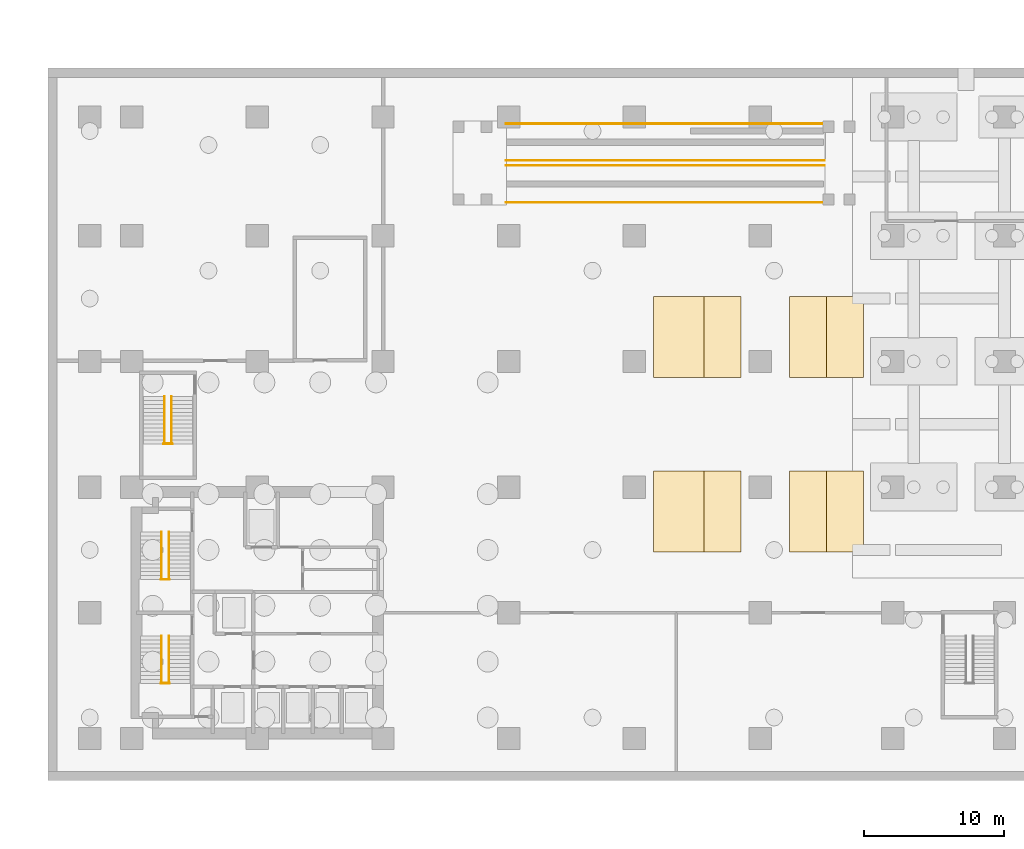
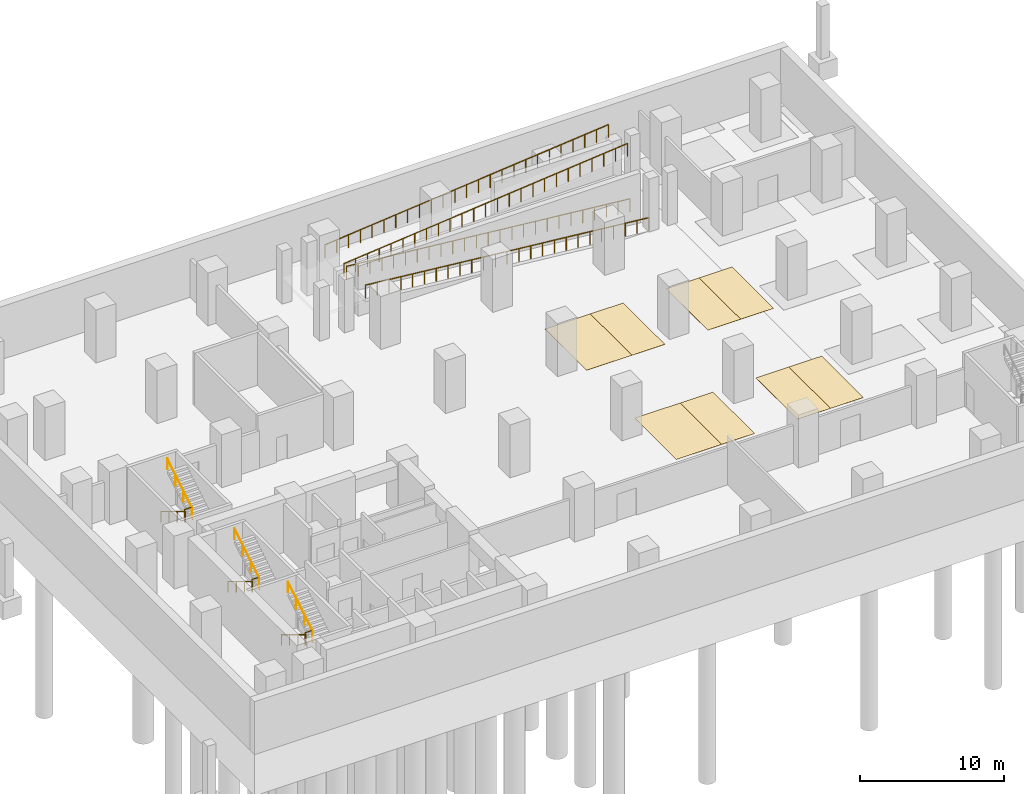
# One storey, part 8 of 10: 13 railings, 8 coverings.
"""IFC4 building model written with IfcOpenShell, lengths in metres."""

import ifcopenshell
import ifcopenshell.guid

model = None  # the IFC model being written
_history = None  # IfcOwnerHistory: only IFC2X3 demands one
_inside = {}  # id of a spatial element -> (the spatial element, [elements in it])
_under = {}  # id of a project, library or spatial element -> (it, [spatial elements below it])
_declared = {}  # id of a project -> (the project, [libraries it declares])
_typed = {}  # id of a type object -> (the type object, [elements of that type])
_made_of = {}  # id of a material, layer set ... -> (it, [elements and type objects made of it])


def new_model(schema):
    """Start an empty IFC model of exactly this schema.

    Asked for "IFC4X3", IfcOpenShell would pick the latest addendum, in which some entities
    have other attributes; the version numbers below select the first issue.
    IFC2X3 requires an IfcOwnerHistory on every rooted entity: one is made here for all.
    """
    global model, _history
    if schema == "IFC4X3":
        model = ifcopenshell.file(schema_version=(4, 3, 0, 0))
    else:
        model = ifcopenshell.file(schema=schema)
    _inside.clear()
    _under.clear()
    _declared.clear()
    _typed.clear()
    _made_of.clear()
    _history = None
    if model.schema == "IFC2X3":
        org = make("IfcOrganization", Name="unknown")
        user = make(
            "IfcPersonAndOrganization",
            ThePerson=make("IfcPerson", FamilyName="unknown"),
            TheOrganization=org,
        )
        app = make(
            "IfcApplication",
            ApplicationDeveloper=org,
            Version="unknown",
            ApplicationFullName="unknown",
            ApplicationIdentifier="unknown",
        )
        _history = make(
            "IfcOwnerHistory",
            OwningUser=user,
            OwningApplication=app,
            ChangeAction="ADDED",
            CreationDate=0,
        )
    return model


def make(cls, **values):
    """One entity of the class cls with the attributes given. An attribute that is None is left unset."""
    return model.create_entity(
        cls, **{name: value for name, value in values.items() if value is not None}
    )


def rooted(cls, **values):
    """An entity with a GlobalId (a new one), such as an element, a storey or a relation."""
    return make(cls, GlobalId=ifcopenshell.guid.new(), OwnerHistory=_history, **values)


def si_unit(unit_type, name, prefix=None):
    """IfcSIUnit, for example si_unit("LENGTHUNIT", "METRE", prefix="MILLI")."""
    return make("IfcSIUnit", UnitType=unit_type, Prefix=prefix, Name=name)


def assignment(units):
    """IfcUnitAssignment: the units of a project."""
    return None if units is None else make("IfcUnitAssignment", Units=units)


def point(xyz):
    """IfcCartesianPoint."""
    return None if xyz is None else make("IfcCartesianPoint", Coordinates=xyz)


def direction(xyz):
    """IfcDirection."""
    return None if xyz is None else make("IfcDirection", DirectionRatios=xyz)


def frame(location, z_axis=None, x_axis=None):
    """IfcAxis2Placement3D, a coordinate frame: its origin and axes. An axis left out is left unset."""
    return make(
        "IfcAxis2Placement3D",
        Location=point(location),
        Axis=direction(z_axis),
        RefDirection=direction(x_axis),
    )


def frame_2d(location, x_axis=None):
    """IfcAxis2Placement2D, a coordinate frame in the plane: its origin and x axis."""
    return make(
        "IfcAxis2Placement2D", Location=point(location), RefDirection=direction(x_axis)
    )


def origin():
    """The frame at (0, 0, 0) with its axes left unset."""
    return frame((0.0, 0.0, 0.0))


def origin_2d():
    """The frame at (0, 0) in the plane with its x axis left unset."""
    return frame_2d((0.0, 0.0))


def place(relative_to, where):
    """IfcLocalPlacement: puts the frame where relative to a parent placement (None: the world)."""
    return make(
        "IfcLocalPlacement", PlacementRelTo=relative_to, RelativePlacement=where
    )


def context(
    kind, dimensions, precision=None, world=None, true_north=None, identifier=None
):
    """IfcGeometricRepresentationContext, for example the 3D "Model" context."""
    return make(
        "IfcGeometricRepresentationContext",
        ContextIdentifier=identifier,
        ContextType=kind,
        CoordinateSpaceDimension=dimensions,
        Precision=precision,
        WorldCoordinateSystem=world,
        TrueNorth=true_north,
    )


def subcontext(parent, identifier, kind, view, scale=None):
    """IfcGeometricRepresentationSubContext, for example "Body" below "Model"."""
    return make(
        "IfcGeometricRepresentationSubContext",
        ContextIdentifier=identifier,
        ContextType=kind,
        ParentContext=parent,
        TargetScale=scale,
        TargetView=view,
    )


def project(units=None, contexts=None):
    """IfcProject with its units and contexts."""
    return rooted(
        "IfcProject",
        Name="project",
        RepresentationContexts=contexts,
        UnitsInContext=assignment(units),
    )


def spatial(cls, under=None, at=None, **own):
    """A site, building, storey or space (cls), placed at a placement, below another one or the project."""
    s = rooted(cls, ObjectPlacement=at, **own)
    if under is not None:
        _under.setdefault(under.id(), (under, []))[1].append(s)
    return s


def polyline(points):
    """IfcPolyline through the points."""
    return make("IfcPolyline", Points=[point(p) for p in points])


def profile(cls, at=None, kind="AREA", **sizes):
    """A parametric profile (cls). Its sizes go by their IFC names, for example OverallWidth=200.0."""
    return make(cls, ProfileType=kind, Position=at, **sizes)


def circle(**sizes):
    """IfcCircleProfileDef."""
    return profile("IfcCircleProfileDef", **sizes)


def outline(outer, holes=None, kind="AREA"):
    """IfcArbitraryClosedProfileDef: a profile drawn as a closed curve; with holes, ...WithVoids."""
    if holes is None:
        return make("IfcArbitraryClosedProfileDef", ProfileType=kind, OuterCurve=outer)
    return make(
        "IfcArbitraryProfileDefWithVoids",
        ProfileType=kind,
        OuterCurve=outer,
        InnerCurves=holes,
    )


def extrude(swept, where, along, depth):
    """IfcExtrudedAreaSolid: the profile swept, set in the frame where, extruded along a direction by depth."""
    return make(
        "IfcExtrudedAreaSolid",
        SweptArea=swept,
        Position=where,
        ExtrudedDirection=direction(along),
        Depth=depth,
    )


def shape(context_of_items, identifier, shape_type, items):
    """IfcShapeRepresentation: the items that make up one representation, for example the "Body"."""
    return make(
        "IfcShapeRepresentation",
        ContextOfItems=context_of_items,
        RepresentationIdentifier=identifier,
        RepresentationType=shape_type,
        Items=items,
    )


def material(Name=None, Category=None):
    """IfcMaterial."""
    return make("IfcMaterial", Name=Name, Category=Category)


def layer(
    of_material, thickness, ventilated=None, Name=None, Category=None, Priority=None
):
    """IfcMaterialLayer: one layer of a wall or slab, of a material (None: an air gap)."""
    return make(
        "IfcMaterialLayer",
        Material=of_material,
        LayerThickness=thickness,
        IsVentilated=ventilated,
        Name=Name,
        Category=Category,
        Priority=Priority,
    )


def layer_set(layers, Name=None):
    """IfcMaterialLayerSet."""
    return make("IfcMaterialLayerSet", MaterialLayers=layers, LayerSetName=Name)


def made_of(thing, what):
    """Note that an element or type object is made of a material, layer set ...; save() writes the relation."""
    if what is not None:
        _made_of.setdefault(what.id(), (what, []))[1].append(thing)
    return thing


def type_object(cls, material=None, **own):
    """A type object (cls), such as IfcWallType, which elements share."""
    return made_of(rooted(cls, **own), material)


def element(
    cls,
    number,
    at=None,
    inside=None,
    cuts=None,
    type_object=None,
    material=None,
    context=None,
    identifier="Body",
    shape_type=None,
    held_by="IfcProductDefinitionShape",
    body=None,
    shapes=None,
    **own,
):
    """One element of the class cls, such as IfcWall. Its Tag is "e" and its number.

    at: its placement. inside: the storey or other place that contains it. cuts: it is an
    opening in that element (IfcRelVoidsElement). A single representation is given by context,
    identifier, shape_type and body (its items); several are given by shapes. held_by: the class
    of the entity that holds the representations. save() writes the other relations.
    """
    e = rooted(cls, Tag="e%d" % number, ObjectPlacement=at, **own)
    if body is not None:
        shapes = [shape(context, identifier, shape_type, body)]
    if shapes is not None:
        e.Representation = make(held_by, Representations=shapes)
    if inside is not None:
        _inside.setdefault(inside.id(), (inside, []))[1].append(e)
    if cuts is not None:
        rooted(
            "IfcRelVoidsElement", RelatingBuildingElement=cuts, RelatedOpeningElement=e
        )
    if type_object is not None:
        _typed.setdefault(type_object.id(), (type_object, []))[1].append(e)
    return made_of(e, material)


def aggregate(whole, parts):
    """IfcRelAggregates: a whole, such as a stair, and the parts it consists of."""
    return rooted("IfcRelAggregates", RelatingObject=whole, RelatedObjects=parts)


def save(model, path):
    """Write the relations noted so far, then the file.

    IfcRelAggregates (storeys below a building ...), IfcRelContainedInSpatialStructure (elements
    in a storey), IfcRelDefinesByType, IfcRelAssociatesMaterial and IfcRelDeclares: one each for
    every whole, place, type object, material and project.
    """
    for whole, parts in _under.values():
        aggregate(whole, parts)
    for where, things in _inside.values():
        rooted(
            "IfcRelContainedInSpatialStructure",
            RelatedElements=things,
            RelatingStructure=where,
        )
    for kind, things in _typed.values():
        rooted("IfcRelDefinesByType", RelatedObjects=things, RelatingType=kind)
    for what, things in _made_of.values():
        rooted("IfcRelAssociatesMaterial", RelatedObjects=things, RelatingMaterial=what)
    for by, libraries in _declared.values():
        rooted("IfcRelDeclares", RelatingContext=by, RelatedDefinitions=libraries)
    model.write(path)


model = new_model("IFC4")

# Units and contexts
model_context = context("Model", 3, precision=1e-05, world=origin(), true_north=direction((0.0, 1.0)))
body_context = subcontext(model_context, "Body", "Model", "MODEL_VIEW")
ifc_project = project(units=[si_unit("LENGTHUNIT", "METRE"), si_unit("AREAUNIT", "SQUARE_METRE"), si_unit("VOLUMEUNIT", "CUBIC_METRE"), si_unit("PLANEANGLEUNIT", "RADIAN"), si_unit("MASSUNIT", "GRAM", prefix="KILO")], contexts=[model_context])

# Site, building, storey
site_placement = place(None, origin())
site = spatial("IfcSite", under=ifc_project, at=site_placement, CompositionType="ELEMENT")
building_placement = place(site_placement, origin())
building = spatial("IfcBuilding", under=site, at=building_placement, Name="Mawjdan Bourse Tower", CompositionType="ELEMENT")
storey_placement = place(building_placement, frame((0.0, 0.0, -13.5)))
storey = spatial("IfcBuildingStorey", under=building, at=storey_placement, Name="B03", CompositionType="ELEMENT", Elevation=-13.5)

# Coverings
ifc_material_1 = material(Name="Thermoplastic Road Marking Paint")
ifc_layer = layer(ifc_material_1, 0.010009765625)
ifc_layer_set = layer_set([ifc_layer], Name="Thermoplastic Road Marking Paint")
covering_type = type_object("IfcCoveringType", Name="COV-PRK-BAY", PredefinedType="FLOORING", material=ifc_layer_set)
covering_1_placement = place(storey_placement, origin())
element("IfcCovering", 1, at=covering_1_placement, inside=storey, type_object=covering_type, Name="B03 Accessible Parking Bay Marking A1", PredefinedType="FLOORING", context=body_context, shape_type="SweptSolid", body=[
    extrude(outline(polyline([(43.35009765625, 16.35009765625), (47.0, 16.35009765625), (47.0, 22.14990234375), (43.35009765625, 22.14990234375), (43.35009765625, 16.35009765625)])), origin(), (0.0, 0.0, 1.0), 0.010009765625),
])
covering_2_placement = place(storey_placement, origin())
element("IfcCovering", 2, at=covering_2_placement, inside=storey, type_object=covering_type, Name="B03 Parking Bay Marking 01", PredefinedType="FLOORING", context=body_context, shape_type="SweptSolid", body=[
    extrude(outline(polyline([(47.0, 16.35009765625), (49.64990234375, 16.35009765625), (49.64990234375, 22.14990234375), (47.0, 22.14990234375), (47.0, 16.35009765625)])), origin(), (0.0, 0.0, 1.0), 0.010009765625),
])
covering_3_placement = place(storey_placement, origin())
element("IfcCovering", 3, at=covering_3_placement, inside=storey, type_object=covering_type, Name="B03 Parking Bay Marking 02", PredefinedType="FLOORING", context=body_context, shape_type="SweptSolid", body=[
    extrude(outline(polyline([(53.10009765625, 16.35009765625), (55.75, 16.35009765625), (55.75, 22.14990234375), (53.10009765625, 22.14990234375), (53.10009765625, 16.35009765625)])), origin(), (0.0, 0.0, 1.0), 0.010009765625),
])
covering_4_placement = place(storey_placement, origin())
element("IfcCovering", 4, at=covering_4_placement, inside=storey, type_object=covering_type, Name="B03 Parking Bay Marking 03", PredefinedType="FLOORING", context=body_context, shape_type="SweptSolid", body=[
    extrude(outline(polyline([(55.75, 16.35009765625), (58.39990234375, 16.35009765625), (58.39990234375, 22.14990234375), (55.75, 22.14990234375), (55.75, 16.35009765625)])), origin(), (0.0, 0.0, 1.0), 0.010009765625),
])
covering_5_placement = place(storey_placement, origin())
element("IfcCovering", 5, at=covering_5_placement, inside=storey, type_object=covering_type, Name="B03 Accessible Parking Bay Marking A2", PredefinedType="FLOORING", context=body_context, shape_type="SweptSolid", body=[
    extrude(outline(polyline([(43.35009765625, 28.85009765625), (47.0, 28.85009765625), (47.0, 34.64990234375), (43.35009765625, 34.64990234375), (43.35009765625, 28.85009765625)])), origin(), (0.0, 0.0, 1.0), 0.010009765625),
])
covering_6_placement = place(storey_placement, origin())
element("IfcCovering", 6, at=covering_6_placement, inside=storey, type_object=covering_type, Name="B03 Parking Bay Marking 04", PredefinedType="FLOORING", context=body_context, shape_type="SweptSolid", body=[
    extrude(outline(polyline([(47.0, 28.85009765625), (49.64990234375, 28.85009765625), (49.64990234375, 34.64990234375), (47.0, 34.64990234375), (47.0, 28.85009765625)])), origin(), (0.0, 0.0, 1.0), 0.010009765625),
])
covering_7_placement = place(storey_placement, origin())
element("IfcCovering", 7, at=covering_7_placement, inside=storey, type_object=covering_type, Name="B03 Parking Bay Marking 05", PredefinedType="FLOORING", context=body_context, shape_type="SweptSolid", body=[
    extrude(outline(polyline([(53.10009765625, 28.85009765625), (55.75, 28.85009765625), (55.75, 34.64990234375), (53.10009765625, 34.64990234375), (53.10009765625, 28.85009765625)])), origin(), (0.0, 0.0, 1.0), 0.010009765625),
])
covering_8_placement = place(storey_placement, origin())
element("IfcCovering", 8, at=covering_8_placement, inside=storey, type_object=covering_type, Name="B03 Parking Bay Marking 06", PredefinedType="FLOORING", context=body_context, shape_type="SweptSolid", body=[
    extrude(outline(polyline([(55.75, 28.85009765625), (58.39990234375, 28.85009765625), (58.39990234375, 34.64990234375), (55.75, 34.64990234375), (55.75, 28.85009765625)])), origin(), (0.0, 0.0, 1.0), 0.010009765625),
])

# Railings
ifc_material_2 = material(Name="Structural Steel S355", Category="steel")
railing_type_1 = type_object("IfcRailingType", Name="RLG-GRD-1100", PredefinedType="GUARDRAIL", material=ifc_material_2)
for number, where, name in (
    (9, (8.090087890625, 6.949951171875, 2.25), "B03 ST1 Landing Guardrail GL-MID"),
    (10, (8.090087890625, 14.389892578125, 2.25), "B03 ST2 Landing Guardrail GL-MID"),
    (11, (8.2900390625, 24.10009765625, 2.25), "B03 ST3 Landing Guardrail GL-MID"),
):
    element("IfcRailing", number, at=place(storey_placement, frame(where)), inside=storey, type_object=railing_type_1, Name=name, PredefinedType="GUARDRAIL", context=body_context, shape_type="SweptSolid", body=[
        extrude(circle(Radius=0.02490234375, at=origin_2d()), frame((0.0, 0.0, 1.0751953125), z_axis=(1.0, 0.0, 0.0), x_axis=(0.0, 1.0, 0.0)), (0.0, 0.0, 1.0), 0.619873046875),
        extrude(circle(Radius=0.02099609375, at=origin_2d()), origin(), (0.0, 0.0, 1.0), 1.050048828125),
        extrude(circle(Radius=0.02099609375, at=origin_2d()), frame((0.619873046875, 0.0, 0.0)), (0.0, 0.0, 1.0), 1.050048828125),
    ])
railing_1_placement = place(storey_placement, frame((55.60009765625, 41.3798828125, 0.0048828125)))
element("IfcRailing", 12, at=railing_1_placement, inside=storey, type_object=railing_type_1, Name="B03 Vehicle Ramp Flight 1 South Guardrail", PredefinedType="GUARDRAIL", context=body_context, shape_type="SweptSolid", body=[
    extrude(circle(Radius=0.02490234375, at=origin_2d()), frame((0.0, 0.0, 1.09521484375), z_axis=(-0.995207888393, 0.0, 0.097781689908), x_axis=(0.0, -1.0, 0.0)), (0.0, 0.0, 1.0), 2.86376953125),
    extrude(circle(Radius=0.02490234375, at=origin_2d()), frame((-2.85009765625, 0.0, 1.375), z_axis=(-0.995207888393, 0.0, 0.097781689908), x_axis=(0.0, -1.0, 0.0)), (0.0, 0.0, 1.0), 2.86376953125),
    extrude(circle(Radius=0.02490234375, at=origin_2d()), frame((-5.7001953125, 0.0, 1.6552734375), z_axis=(-0.995207073192, 0.0, 0.097789986546), x_axis=(0.0, -1.0, 0.0)), (0.0, 0.0, 1.0), 2.863525390625),
    extrude(circle(Radius=0.02490234375, at=origin_2d()), frame((-8.550048828125, 0.0, 1.93505859375), z_axis=(-0.995207888393, 0.0, 0.097781689908), x_axis=(0.0, -1.0, 0.0)), (0.0, 0.0, 1.0), 2.86376953125),
    extrude(circle(Radius=0.02490234375, at=origin_2d()), frame((-11.400146484375, 0.0, 2.21533203125), z_axis=(-0.995207073192, 0.0, 0.097789986546), x_axis=(0.0, -1.0, 0.0)), (0.0, 0.0, 1.0), 2.863525390625),
    extrude(circle(Radius=0.02490234375, at=origin_2d()), frame((-14.25, 0.0, 2.4951171875), z_axis=(-0.995207888393, 0.0, 0.097781689908), x_axis=(0.0, -1.0, 0.0)), (0.0, 0.0, 1.0), 2.86376953125),
    extrude(circle(Radius=0.02490234375, at=origin_2d()), frame((-17.10009765625, 0.0, 2.775390625), z_axis=(-0.995207888393, 0.0, 0.097781689908), x_axis=(0.0, -1.0, 0.0)), (0.0, 0.0, 1.0), 2.86376953125),
    extrude(circle(Radius=0.02490234375, at=origin_2d()), frame((-19.9501953125, 0.0, 3.05517578125), z_axis=(-0.995207073192, 0.0, 0.097789986546), x_axis=(0.0, -1.0, 0.0)), (0.0, 0.0, 1.0), 2.863525390625),
    extrude(circle(Radius=0.02197265625, at=origin_2d()), origin(), (0.0, 0.0, 1.0), 1.070068359375),
    extrude(circle(Radius=0.02197265625, at=origin_2d()), frame((-0.949951171875, 0.0, 0.09326171875)), (0.0, 0.0, 1.0), 1.070068359375),
    extrude(circle(Radius=0.02197265625, at=origin_2d()), frame((-1.900146484375, 0.0, 0.186767578125)), (0.0, 0.0, 1.0), 1.070068359375),
    extrude(circle(Radius=0.02197265625, at=origin_2d()), frame((-2.85009765625, 0.0, 0.280029296875)), (0.0, 0.0, 1.0), 1.070068359375),
    extrude(circle(Radius=0.02197265625, at=origin_2d()), frame((-3.800048828125, 0.0, 0.373291015625)), (0.0, 0.0, 1.0), 1.070068359375),
    extrude(circle(Radius=0.02197265625, at=origin_2d()), frame((-4.750244140625, 0.0, 0.466796875)), (0.0, 0.0, 1.0), 1.070068359375),
    extrude(circle(Radius=0.02197265625, at=origin_2d()), frame((-5.7001953125, 0.0, 0.56005859375)), (0.0, 0.0, 1.0), 1.070068359375),
    extrude(circle(Radius=0.02197265625, at=origin_2d()), frame((-6.650146484375, 0.0, 0.6533203125)), (0.0, 0.0, 1.0), 1.070068359375),
    extrude(circle(Radius=0.02197265625, at=origin_2d()), frame((-7.60009765625, 0.0, 0.746826171875)), (0.0, 0.0, 1.0), 1.070068359375),
    extrude(circle(Radius=0.02197265625, at=origin_2d()), frame((-8.550048828125, 0.0, 0.840087890625)), (0.0, 0.0, 1.0), 1.070068359375),
    extrude(circle(Radius=0.02197265625, at=origin_2d()), frame((-9.5, 0.0, 0.933349609375)), (0.0, 0.0, 1.0), 1.070068359375),
    extrude(circle(Radius=0.02197265625, at=origin_2d()), frame((-10.4501953125, 0.0, 1.02685546875)), (0.0, 0.0, 1.0), 1.070068359375),
    extrude(circle(Radius=0.02197265625, at=origin_2d()), frame((-11.400146484375, 0.0, 1.1201171875)), (0.0, 0.0, 1.0), 1.070068359375),
    extrude(circle(Radius=0.02197265625, at=origin_2d()), frame((-12.35009765625, 0.0, 1.21337890625)), (0.0, 0.0, 1.0), 1.070068359375),
    extrude(circle(Radius=0.02197265625, at=origin_2d()), frame((-13.300048828125, 0.0, 1.306884765625)), (0.0, 0.0, 1.0), 1.070068359375),
    extrude(circle(Radius=0.02197265625, at=origin_2d()), frame((-14.25, 0.0, 1.400146484375)), (0.0, 0.0, 1.0), 1.070068359375),
    extrude(circle(Radius=0.02197265625, at=origin_2d()), frame((-15.199951171875, 0.0, 1.493408203125)), (0.0, 0.0, 1.0), 1.070068359375),
    extrude(circle(Radius=0.02197265625, at=origin_2d()), frame((-16.150146484375, 0.0, 1.5869140625)), (0.0, 0.0, 1.0), 1.070068359375),
    extrude(circle(Radius=0.02197265625, at=origin_2d()), frame((-17.10009765625, 0.0, 1.68017578125)), (0.0, 0.0, 1.0), 1.070068359375),
    extrude(circle(Radius=0.02197265625, at=origin_2d()), frame((-18.050048828125, 0.0, 1.7734375)), (0.0, 0.0, 1.0), 1.070068359375),
    extrude(circle(Radius=0.02197265625, at=origin_2d()), frame((-19.000244140625, 0.0, 1.866943359375)), (0.0, 0.0, 1.0), 1.070068359375),
    extrude(circle(Radius=0.02197265625, at=origin_2d()), frame((-19.9501953125, 0.0, 1.960205078125)), (0.0, 0.0, 1.0), 1.070068359375),
    extrude(circle(Radius=0.02197265625, at=origin_2d()), frame((-20.900146484375, 0.0, 2.053466796875)), (0.0, 0.0, 1.0), 1.070068359375),
    extrude(circle(Radius=0.02197265625, at=origin_2d()), frame((-21.85009765625, 0.0, 2.14697265625)), (0.0, 0.0, 1.0), 1.070068359375),
    extrude(circle(Radius=0.02197265625, at=origin_2d()), frame((-22.800048828125, 0.0, 2.240234375)), (0.0, 0.0, 1.0), 1.070068359375),
])
railing_2_placement = place(storey_placement, frame((55.60009765625, 44.02001953125, 0.0048828125)))
element("IfcRailing", 13, at=railing_2_placement, inside=storey, type_object=railing_type_1, Name="B03 Vehicle Ramp Flight 1 North Guardrail", PredefinedType="GUARDRAIL", context=body_context, shape_type="SweptSolid", body=[
    extrude(circle(Radius=0.02490234375, at=origin_2d()), frame((0.0, 0.0, 1.09521484375), z_axis=(-0.995207888393, 0.0, 0.097781689908), x_axis=(0.0, -1.0, 0.0)), (0.0, 0.0, 1.0), 2.86376953125),
    extrude(circle(Radius=0.02490234375, at=origin_2d()), frame((-2.85009765625, 0.0, 1.375), z_axis=(-0.995207888393, 0.0, 0.097781689908), x_axis=(0.0, -1.0, 0.0)), (0.0, 0.0, 1.0), 2.86376953125),
    extrude(circle(Radius=0.02490234375, at=origin_2d()), frame((-5.7001953125, 0.0, 1.6552734375), z_axis=(-0.995207073192, 0.0, 0.097789986546), x_axis=(0.0, -1.0, 0.0)), (0.0, 0.0, 1.0), 2.863525390625),
    extrude(circle(Radius=0.02490234375, at=origin_2d()), frame((-8.550048828125, 0.0, 1.93505859375), z_axis=(-0.995207888393, 0.0, 0.097781689908), x_axis=(0.0, -1.0, 0.0)), (0.0, 0.0, 1.0), 2.86376953125),
    extrude(circle(Radius=0.02490234375, at=origin_2d()), frame((-11.400146484375, 0.0, 2.21533203125), z_axis=(-0.995207073192, 0.0, 0.097789986546), x_axis=(0.0, -1.0, 0.0)), (0.0, 0.0, 1.0), 2.863525390625),
    extrude(circle(Radius=0.02490234375, at=origin_2d()), frame((-14.25, 0.0, 2.4951171875), z_axis=(-0.995207888393, 0.0, 0.097781689908), x_axis=(0.0, -1.0, 0.0)), (0.0, 0.0, 1.0), 2.86376953125),
    extrude(circle(Radius=0.02490234375, at=origin_2d()), frame((-17.10009765625, 0.0, 2.775390625), z_axis=(-0.995207888393, 0.0, 0.097781689908), x_axis=(0.0, -1.0, 0.0)), (0.0, 0.0, 1.0), 2.86376953125),
    extrude(circle(Radius=0.02490234375, at=origin_2d()), frame((-19.9501953125, 0.0, 3.05517578125), z_axis=(-0.995207073192, 0.0, 0.097789986546), x_axis=(0.0, -1.0, 0.0)), (0.0, 0.0, 1.0), 2.863525390625),
    extrude(circle(Radius=0.02197265625, at=origin_2d()), origin(), (0.0, 0.0, 1.0), 1.070068359375),
    extrude(circle(Radius=0.02197265625, at=origin_2d()), frame((-0.949951171875, 0.0, 0.09326171875)), (0.0, 0.0, 1.0), 1.070068359375),
    extrude(circle(Radius=0.02197265625, at=origin_2d()), frame((-1.900146484375, 0.0, 0.186767578125)), (0.0, 0.0, 1.0), 1.070068359375),
    extrude(circle(Radius=0.02197265625, at=origin_2d()), frame((-2.85009765625, 0.0, 0.280029296875)), (0.0, 0.0, 1.0), 1.070068359375),
    extrude(circle(Radius=0.02197265625, at=origin_2d()), frame((-3.800048828125, 0.0, 0.373291015625)), (0.0, 0.0, 1.0), 1.070068359375),
    extrude(circle(Radius=0.02197265625, at=origin_2d()), frame((-4.750244140625, 0.0, 0.466796875)), (0.0, 0.0, 1.0), 1.070068359375),
    extrude(circle(Radius=0.02197265625, at=origin_2d()), frame((-5.7001953125, 0.0, 0.56005859375)), (0.0, 0.0, 1.0), 1.070068359375),
    extrude(circle(Radius=0.02197265625, at=origin_2d()), frame((-6.650146484375, 0.0, 0.6533203125)), (0.0, 0.0, 1.0), 1.070068359375),
    extrude(circle(Radius=0.02197265625, at=origin_2d()), frame((-7.60009765625, 0.0, 0.746826171875)), (0.0, 0.0, 1.0), 1.070068359375),
    extrude(circle(Radius=0.02197265625, at=origin_2d()), frame((-8.550048828125, 0.0, 0.840087890625)), (0.0, 0.0, 1.0), 1.070068359375),
    extrude(circle(Radius=0.02197265625, at=origin_2d()), frame((-9.5, 0.0, 0.933349609375)), (0.0, 0.0, 1.0), 1.070068359375),
    extrude(circle(Radius=0.02197265625, at=origin_2d()), frame((-10.4501953125, 0.0, 1.02685546875)), (0.0, 0.0, 1.0), 1.070068359375),
    extrude(circle(Radius=0.02197265625, at=origin_2d()), frame((-11.400146484375, 0.0, 1.1201171875)), (0.0, 0.0, 1.0), 1.070068359375),
    extrude(circle(Radius=0.02197265625, at=origin_2d()), frame((-12.35009765625, 0.0, 1.21337890625)), (0.0, 0.0, 1.0), 1.070068359375),
    extrude(circle(Radius=0.02197265625, at=origin_2d()), frame((-13.300048828125, 0.0, 1.306884765625)), (0.0, 0.0, 1.0), 1.070068359375),
    extrude(circle(Radius=0.02197265625, at=origin_2d()), frame((-14.25, 0.0, 1.400146484375)), (0.0, 0.0, 1.0), 1.070068359375),
    extrude(circle(Radius=0.02197265625, at=origin_2d()), frame((-15.199951171875, 0.0, 1.493408203125)), (0.0, 0.0, 1.0), 1.070068359375),
    extrude(circle(Radius=0.02197265625, at=origin_2d()), frame((-16.150146484375, 0.0, 1.5869140625)), (0.0, 0.0, 1.0), 1.070068359375),
    extrude(circle(Radius=0.02197265625, at=origin_2d()), frame((-17.10009765625, 0.0, 1.68017578125)), (0.0, 0.0, 1.0), 1.070068359375),
    extrude(circle(Radius=0.02197265625, at=origin_2d()), frame((-18.050048828125, 0.0, 1.7734375)), (0.0, 0.0, 1.0), 1.070068359375),
    extrude(circle(Radius=0.02197265625, at=origin_2d()), frame((-19.000244140625, 0.0, 1.866943359375)), (0.0, 0.0, 1.0), 1.070068359375),
    extrude(circle(Radius=0.02197265625, at=origin_2d()), frame((-19.9501953125, 0.0, 1.960205078125)), (0.0, 0.0, 1.0), 1.070068359375),
    extrude(circle(Radius=0.02197265625, at=origin_2d()), frame((-20.900146484375, 0.0, 2.053466796875)), (0.0, 0.0, 1.0), 1.070068359375),
    extrude(circle(Radius=0.02197265625, at=origin_2d()), frame((-21.85009765625, 0.0, 2.14697265625)), (0.0, 0.0, 1.0), 1.070068359375),
    extrude(circle(Radius=0.02197265625, at=origin_2d()), frame((-22.800048828125, 0.0, 2.240234375)), (0.0, 0.0, 1.0), 1.070068359375),
])
railing_3_placement = place(storey_placement, frame((32.800048828125, 44.3798828125, 2.2548828125)))
element("IfcRailing", 14, at=railing_3_placement, inside=storey, type_object=railing_type_1, Name="B03 Vehicle Ramp Flight 2 South Guardrail", PredefinedType="GUARDRAIL", context=body_context, shape_type="SweptSolid", body=[
    extrude(circle(Radius=0.02490234375, at=origin_2d()), frame((0.0, 0.0, 1.09521484375), z_axis=(0.995207073192, 0.0, 0.097789986546), x_axis=(0.0, 1.0, 0.0)), (0.0, 0.0, 1.0), 2.863525390625),
    extrude(circle(Radius=0.02490234375, at=origin_2d()), frame((2.849853515625, 0.0, 1.375), z_axis=(0.995207888393, 0.0, 0.097781689908), x_axis=(0.0, 1.0, 0.0)), (0.0, 0.0, 1.0), 2.86376953125),
    extrude(circle(Radius=0.02490234375, at=origin_2d()), frame((5.699951171875, 0.0, 1.6552734375), z_axis=(0.995207888393, 0.0, 0.097781689908), x_axis=(0.0, 1.0, 0.0)), (0.0, 0.0, 1.0), 2.86376953125),
    extrude(circle(Radius=0.02490234375, at=origin_2d()), frame((8.550048828125, 0.0, 1.93505859375), z_axis=(0.995207073192, 0.0, 0.097789986546), x_axis=(0.0, 1.0, 0.0)), (0.0, 0.0, 1.0), 2.863525390625),
    extrude(circle(Radius=0.02490234375, at=origin_2d()), frame((11.39990234375, 0.0, 2.21533203125), z_axis=(0.995207888393, 0.0, 0.097781689908), x_axis=(0.0, 1.0, 0.0)), (0.0, 0.0, 1.0), 2.86376953125),
    extrude(circle(Radius=0.02490234375, at=origin_2d()), frame((14.25, 0.0, 2.4951171875), z_axis=(0.995207073192, 0.0, 0.097789986546), x_axis=(0.0, 1.0, 0.0)), (0.0, 0.0, 1.0), 2.863525390625),
    extrude(circle(Radius=0.02490234375, at=origin_2d()), frame((17.099853515625, 0.0, 2.775390625), z_axis=(0.995207888393, 0.0, 0.097781689908), x_axis=(0.0, 1.0, 0.0)), (0.0, 0.0, 1.0), 2.86376953125),
    extrude(circle(Radius=0.02490234375, at=origin_2d()), frame((19.949951171875, 0.0, 3.05517578125), z_axis=(0.995207888393, 0.0, 0.097781689908), x_axis=(0.0, 1.0, 0.0)), (0.0, 0.0, 1.0), 2.86376953125),
    extrude(circle(Radius=0.02197265625, at=origin_2d()), origin(), (0.0, 0.0, 1.0), 1.070068359375),
    extrude(circle(Radius=0.02197265625, at=origin_2d()), frame((0.949951171875, 0.0, 0.09326171875)), (0.0, 0.0, 1.0), 1.070068359375),
    extrude(circle(Radius=0.02197265625, at=origin_2d()), frame((1.89990234375, 0.0, 0.186767578125)), (0.0, 0.0, 1.0), 1.070068359375),
    extrude(circle(Radius=0.02197265625, at=origin_2d()), frame((2.849853515625, 0.0, 0.280029296875)), (0.0, 0.0, 1.0), 1.070068359375),
    extrude(circle(Radius=0.02197265625, at=origin_2d()), frame((3.7998046875, 0.0, 0.373291015625)), (0.0, 0.0, 1.0), 1.070068359375),
    extrude(circle(Radius=0.02197265625, at=origin_2d()), frame((4.75, 0.0, 0.466796875)), (0.0, 0.0, 1.0), 1.070068359375),
    extrude(circle(Radius=0.02197265625, at=origin_2d()), frame((5.699951171875, 0.0, 0.56005859375)), (0.0, 0.0, 1.0), 1.070068359375),
    extrude(circle(Radius=0.02197265625, at=origin_2d()), frame((6.64990234375, 0.0, 0.6533203125)), (0.0, 0.0, 1.0), 1.070068359375),
    extrude(circle(Radius=0.02197265625, at=origin_2d()), frame((7.60009765625, 0.0, 0.746826171875)), (0.0, 0.0, 1.0), 1.070068359375),
    extrude(circle(Radius=0.02197265625, at=origin_2d()), frame((8.550048828125, 0.0, 0.840087890625)), (0.0, 0.0, 1.0), 1.070068359375),
    extrude(circle(Radius=0.02197265625, at=origin_2d()), frame((9.5, 0.0, 0.933349609375)), (0.0, 0.0, 1.0), 1.070068359375),
    extrude(circle(Radius=0.02197265625, at=origin_2d()), frame((10.449951171875, 0.0, 1.02685546875)), (0.0, 0.0, 1.0), 1.070068359375),
    extrude(circle(Radius=0.02197265625, at=origin_2d()), frame((11.39990234375, 0.0, 1.1201171875)), (0.0, 0.0, 1.0), 1.070068359375),
    extrude(circle(Radius=0.02197265625, at=origin_2d()), frame((12.349853515625, 0.0, 1.21337890625)), (0.0, 0.0, 1.0), 1.070068359375),
    extrude(circle(Radius=0.02197265625, at=origin_2d()), frame((13.300048828125, 0.0, 1.306884765625)), (0.0, 0.0, 1.0), 1.070068359375),
    extrude(circle(Radius=0.02197265625, at=origin_2d()), frame((14.25, 0.0, 1.400146484375)), (0.0, 0.0, 1.0), 1.070068359375),
    extrude(circle(Radius=0.02197265625, at=origin_2d()), frame((15.199951171875, 0.0, 1.493408203125)), (0.0, 0.0, 1.0), 1.070068359375),
    extrude(circle(Radius=0.02197265625, at=origin_2d()), frame((16.14990234375, 0.0, 1.5869140625)), (0.0, 0.0, 1.0), 1.070068359375),
    extrude(circle(Radius=0.02197265625, at=origin_2d()), frame((17.099853515625, 0.0, 1.68017578125)), (0.0, 0.0, 1.0), 1.070068359375),
    extrude(circle(Radius=0.02197265625, at=origin_2d()), frame((18.0498046875, 0.0, 1.7734375)), (0.0, 0.0, 1.0), 1.070068359375),
    extrude(circle(Radius=0.02197265625, at=origin_2d()), frame((19.0, 0.0, 1.866943359375)), (0.0, 0.0, 1.0), 1.070068359375),
    extrude(circle(Radius=0.02197265625, at=origin_2d()), frame((19.949951171875, 0.0, 1.960205078125)), (0.0, 0.0, 1.0), 1.070068359375),
    extrude(circle(Radius=0.02197265625, at=origin_2d()), frame((20.89990234375, 0.0, 2.053466796875)), (0.0, 0.0, 1.0), 1.070068359375),
    extrude(circle(Radius=0.02197265625, at=origin_2d()), frame((21.85009765625, 0.0, 2.14697265625)), (0.0, 0.0, 1.0), 1.070068359375),
    extrude(circle(Radius=0.02197265625, at=origin_2d()), frame((22.800048828125, 0.0, 2.240234375)), (0.0, 0.0, 1.0), 1.070068359375),
])
railing_4_placement = place(storey_placement, frame((32.800048828125, 47.02001953125, 2.2548828125)))
element("IfcRailing", 15, at=railing_4_placement, inside=storey, type_object=railing_type_1, Name="B03 Vehicle Ramp Flight 2 North Guardrail", PredefinedType="GUARDRAIL", context=body_context, shape_type="SweptSolid", body=[
    extrude(circle(Radius=0.02490234375, at=origin_2d()), frame((0.0, 0.0, 1.09521484375), z_axis=(0.995207073192, 0.0, 0.097789986546), x_axis=(0.0, 1.0, 0.0)), (0.0, 0.0, 1.0), 2.863525390625),
    extrude(circle(Radius=0.02490234375, at=origin_2d()), frame((2.849853515625, 0.0, 1.375), z_axis=(0.995207888393, 0.0, 0.097781689908), x_axis=(0.0, 1.0, 0.0)), (0.0, 0.0, 1.0), 2.86376953125),
    extrude(circle(Radius=0.02490234375, at=origin_2d()), frame((5.699951171875, 0.0, 1.6552734375), z_axis=(0.995207888393, 0.0, 0.097781689908), x_axis=(0.0, 1.0, 0.0)), (0.0, 0.0, 1.0), 2.86376953125),
    extrude(circle(Radius=0.02490234375, at=origin_2d()), frame((8.550048828125, 0.0, 1.93505859375), z_axis=(0.995207073192, 0.0, 0.097789986546), x_axis=(0.0, 1.0, 0.0)), (0.0, 0.0, 1.0), 2.863525390625),
    extrude(circle(Radius=0.02490234375, at=origin_2d()), frame((11.39990234375, 0.0, 2.21533203125), z_axis=(0.995207888393, 0.0, 0.097781689908), x_axis=(0.0, 1.0, 0.0)), (0.0, 0.0, 1.0), 2.86376953125),
    extrude(circle(Radius=0.02490234375, at=origin_2d()), frame((14.25, 0.0, 2.4951171875), z_axis=(0.995207073192, 0.0, 0.097789986546), x_axis=(0.0, 1.0, 0.0)), (0.0, 0.0, 1.0), 2.863525390625),
    extrude(circle(Radius=0.02490234375, at=origin_2d()), frame((17.099853515625, 0.0, 2.775390625), z_axis=(0.995207888393, 0.0, 0.097781689908), x_axis=(0.0, 1.0, 0.0)), (0.0, 0.0, 1.0), 2.86376953125),
    extrude(circle(Radius=0.02490234375, at=origin_2d()), frame((19.949951171875, 0.0, 3.05517578125), z_axis=(0.995207888393, 0.0, 0.097781689908), x_axis=(0.0, 1.0, 0.0)), (0.0, 0.0, 1.0), 2.86376953125),
    extrude(circle(Radius=0.02197265625, at=origin_2d()), origin(), (0.0, 0.0, 1.0), 1.070068359375),
    extrude(circle(Radius=0.02197265625, at=origin_2d()), frame((0.949951171875, 0.0, 0.09326171875)), (0.0, 0.0, 1.0), 1.070068359375),
    extrude(circle(Radius=0.02197265625, at=origin_2d()), frame((1.89990234375, 0.0, 0.186767578125)), (0.0, 0.0, 1.0), 1.070068359375),
    extrude(circle(Radius=0.02197265625, at=origin_2d()), frame((2.849853515625, 0.0, 0.280029296875)), (0.0, 0.0, 1.0), 1.070068359375),
    extrude(circle(Radius=0.02197265625, at=origin_2d()), frame((3.7998046875, 0.0, 0.373291015625)), (0.0, 0.0, 1.0), 1.070068359375),
    extrude(circle(Radius=0.02197265625, at=origin_2d()), frame((4.75, 0.0, 0.466796875)), (0.0, 0.0, 1.0), 1.070068359375),
    extrude(circle(Radius=0.02197265625, at=origin_2d()), frame((5.699951171875, 0.0, 0.56005859375)), (0.0, 0.0, 1.0), 1.070068359375),
    extrude(circle(Radius=0.02197265625, at=origin_2d()), frame((6.64990234375, 0.0, 0.6533203125)), (0.0, 0.0, 1.0), 1.070068359375),
    extrude(circle(Radius=0.02197265625, at=origin_2d()), frame((7.60009765625, 0.0, 0.746826171875)), (0.0, 0.0, 1.0), 1.070068359375),
    extrude(circle(Radius=0.02197265625, at=origin_2d()), frame((8.550048828125, 0.0, 0.840087890625)), (0.0, 0.0, 1.0), 1.070068359375),
    extrude(circle(Radius=0.02197265625, at=origin_2d()), frame((9.5, 0.0, 0.933349609375)), (0.0, 0.0, 1.0), 1.070068359375),
    extrude(circle(Radius=0.02197265625, at=origin_2d()), frame((10.449951171875, 0.0, 1.02685546875)), (0.0, 0.0, 1.0), 1.070068359375),
    extrude(circle(Radius=0.02197265625, at=origin_2d()), frame((11.39990234375, 0.0, 1.1201171875)), (0.0, 0.0, 1.0), 1.070068359375),
    extrude(circle(Radius=0.02197265625, at=origin_2d()), frame((12.349853515625, 0.0, 1.21337890625)), (0.0, 0.0, 1.0), 1.070068359375),
    extrude(circle(Radius=0.02197265625, at=origin_2d()), frame((13.300048828125, 0.0, 1.306884765625)), (0.0, 0.0, 1.0), 1.070068359375),
    extrude(circle(Radius=0.02197265625, at=origin_2d()), frame((14.25, 0.0, 1.400146484375)), (0.0, 0.0, 1.0), 1.070068359375),
    extrude(circle(Radius=0.02197265625, at=origin_2d()), frame((15.199951171875, 0.0, 1.493408203125)), (0.0, 0.0, 1.0), 1.070068359375),
    extrude(circle(Radius=0.02197265625, at=origin_2d()), frame((16.14990234375, 0.0, 1.5869140625)), (0.0, 0.0, 1.0), 1.070068359375),
    extrude(circle(Radius=0.02197265625, at=origin_2d()), frame((17.099853515625, 0.0, 1.68017578125)), (0.0, 0.0, 1.0), 1.070068359375),
    extrude(circle(Radius=0.02197265625, at=origin_2d()), frame((18.0498046875, 0.0, 1.7734375)), (0.0, 0.0, 1.0), 1.070068359375),
    extrude(circle(Radius=0.02197265625, at=origin_2d()), frame((19.0, 0.0, 1.866943359375)), (0.0, 0.0, 1.0), 1.070068359375),
    extrude(circle(Radius=0.02197265625, at=origin_2d()), frame((19.949951171875, 0.0, 1.960205078125)), (0.0, 0.0, 1.0), 1.070068359375),
    extrude(circle(Radius=0.02197265625, at=origin_2d()), frame((20.89990234375, 0.0, 2.053466796875)), (0.0, 0.0, 1.0), 1.070068359375),
    extrude(circle(Radius=0.02197265625, at=origin_2d()), frame((21.85009765625, 0.0, 2.14697265625)), (0.0, 0.0, 1.0), 1.070068359375),
    extrude(circle(Radius=0.02197265625, at=origin_2d()), frame((22.800048828125, 0.0, 2.240234375)), (0.0, 0.0, 1.0), 1.070068359375),
])
ifc_material_3 = material(Name="Brushed Stainless Steel", Category="steel")
railing_type_2 = type_object("IfcRailingType", Name="RLG-HND-920", PredefinedType="HANDRAIL", material=ifc_material_3)
railing_5_placement = place(storey_placement, frame((8.139892578125, 10.35009765625, 0.173095703125)))
element("IfcRailing", 16, at=railing_5_placement, inside=storey, type_object=railing_type_2, Name="B03 ST1 Flight Handrail HR1", PredefinedType="HANDRAIL", context=body_context, shape_type="SweptSolid", body=[
    extrude(circle(Radius=0.0224609375, at=origin_2d()), frame((0.0, 0.0, 0.8974609375), z_axis=(0.0, -0.854745945586, 0.519046595696), x_axis=(1.0, 0.0, 0.0)), (0.0, 0.0, 1.0), 4.00146484375),
    extrude(circle(Radius=0.01904296875, at=origin_2d()), origin(), (0.0, 0.0, 1.0), 0.875),
    extrude(circle(Radius=0.01904296875, at=origin_2d()), frame((0.0, -1.14013671875, 0.6923828125)), (0.0, 0.0, 1.0), 0.875),
    extrude(circle(Radius=0.01904296875, at=origin_2d()), frame((0.0, -2.280029296875, 1.384521484375)), (0.0, 0.0, 1.0), 0.875),
    extrude(circle(Radius=0.01904296875, at=origin_2d()), frame((0.0, -3.420166015625, 2.076904296875)), (0.0, 0.0, 1.0), 0.875),
])
railing_6_placement = place(storey_placement, frame((8.659912109375, 6.929931640625, 2.423095703125)))
element("IfcRailing", 17, at=railing_6_placement, inside=storey, type_object=railing_type_2, Name="B03 ST1 Flight Handrail HR2", PredefinedType="HANDRAIL", context=body_context, shape_type="SweptSolid", body=[
    extrude(circle(Radius=0.0224609375, at=origin_2d()), frame((0.0, 0.0, 0.8974609375), z_axis=(0.0, 0.854745945586, 0.519046595696), x_axis=(-1.0, 0.0, 0.0)), (0.0, 0.0, 1.0), 4.00146484375),
    extrude(circle(Radius=0.01904296875, at=origin_2d()), origin(), (0.0, 0.0, 1.0), 0.875),
    extrude(circle(Radius=0.01904296875, at=origin_2d()), frame((0.0, 1.14013671875, 0.6923828125)), (0.0, 0.0, 1.0), 0.875),
    extrude(circle(Radius=0.01904296875, at=origin_2d()), frame((0.0, 2.280029296875, 1.384521484375)), (0.0, 0.0, 1.0), 0.875),
    extrude(circle(Radius=0.01904296875, at=origin_2d()), frame((0.0, 3.420166015625, 2.076904296875)), (0.0, 0.0, 1.0), 0.875),
])
railing_7_placement = place(storey_placement, frame((8.139892578125, 17.7900390625, 0.173095703125)))
element("IfcRailing", 18, at=railing_7_placement, inside=storey, type_object=railing_type_2, Name="B03 ST2 Flight Handrail HR1", PredefinedType="HANDRAIL", context=body_context, shape_type="SweptSolid", body=[
    extrude(circle(Radius=0.0224609375, at=origin_2d()), frame((0.0, 0.0, 0.8974609375), z_axis=(0.0, -0.854729506542, 0.519073665916), x_axis=(1.0, 0.0, 0.0)), (0.0, 0.0, 1.0), 4.001220703125),
    extrude(circle(Radius=0.01904296875, at=origin_2d()), origin(), (0.0, 0.0, 1.0), 0.875),
    extrude(circle(Radius=0.01904296875, at=origin_2d()), frame((0.0, -1.139892578125, 0.6923828125)), (0.0, 0.0, 1.0), 0.875),
    extrude(circle(Radius=0.01904296875, at=origin_2d()), frame((0.0, -2.280029296875, 1.384521484375)), (0.0, 0.0, 1.0), 0.875),
    extrude(circle(Radius=0.01904296875, at=origin_2d()), frame((0.0, -3.419921875, 2.076904296875)), (0.0, 0.0, 1.0), 0.875),
])
railing_8_placement = place(storey_placement, frame((8.659912109375, 14.3701171875, 2.423095703125)))
element("IfcRailing", 19, at=railing_8_placement, inside=storey, type_object=railing_type_2, Name="B03 ST2 Flight Handrail HR2", PredefinedType="HANDRAIL", context=body_context, shape_type="SweptSolid", body=[
    extrude(circle(Radius=0.0224609375, at=origin_2d()), frame((0.0, 0.0, 0.8974609375), z_axis=(0.0, 0.854729506542, 0.519073665916), x_axis=(-1.0, 0.0, 0.0)), (0.0, 0.0, 1.0), 4.001220703125),
    extrude(circle(Radius=0.01904296875, at=origin_2d()), origin(), (0.0, 0.0, 1.0), 0.875),
    extrude(circle(Radius=0.01904296875, at=origin_2d()), frame((0.0, 1.139892578125, 0.6923828125)), (0.0, 0.0, 1.0), 0.875),
    extrude(circle(Radius=0.01904296875, at=origin_2d()), frame((0.0, 2.280029296875, 1.384521484375)), (0.0, 0.0, 1.0), 0.875),
    extrude(circle(Radius=0.01904296875, at=origin_2d()), frame((0.0, 3.419921875, 2.076904296875)), (0.0, 0.0, 1.0), 0.875),
])
railing_9_placement = place(storey_placement, frame((8.340087890625, 27.5, 0.173095703125)))
element("IfcRailing", 20, at=railing_9_placement, inside=storey, type_object=railing_type_2, Name="B03 ST3 Flight Handrail HR1", PredefinedType="HANDRAIL", context=body_context, shape_type="SweptSolid", body=[
    extrude(circle(Radius=0.0224609375, at=origin_2d()), frame((0.0, 0.0, 0.8974609375), z_axis=(0.0, -0.854729506542, 0.519073665916), x_axis=(1.0, 0.0, 0.0)), (0.0, 0.0, 1.0), 4.001220703125),
    extrude(circle(Radius=0.01904296875, at=origin_2d()), origin(), (0.0, 0.0, 1.0), 0.875),
    extrude(circle(Radius=0.01904296875, at=origin_2d()), frame((0.0, -1.139892578125, 0.6923828125)), (0.0, 0.0, 1.0), 0.875),
    extrude(circle(Radius=0.01904296875, at=origin_2d()), frame((0.0, -2.280029296875, 1.384521484375)), (0.0, 0.0, 1.0), 0.875),
    extrude(circle(Radius=0.01904296875, at=origin_2d()), frame((0.0, -3.419921875, 2.076904296875)), (0.0, 0.0, 1.0), 0.875),
])
railing_10_placement = place(storey_placement, frame((8.860107421875, 24.080078125, 2.423095703125)))
element("IfcRailing", 21, at=railing_10_placement, inside=storey, type_object=railing_type_2, Name="B03 ST3 Flight Handrail HR2", PredefinedType="HANDRAIL", context=body_context, shape_type="SweptSolid", body=[
    extrude(circle(Radius=0.0224609375, at=origin_2d()), frame((0.0, 0.0, 0.8974609375), z_axis=(0.0, 0.854729506542, 0.519073665916), x_axis=(-1.0, 0.0, 0.0)), (0.0, 0.0, 1.0), 4.001220703125),
    extrude(circle(Radius=0.01904296875, at=origin_2d()), origin(), (0.0, 0.0, 1.0), 0.875),
    extrude(circle(Radius=0.01904296875, at=origin_2d()), frame((0.0, 1.139892578125, 0.6923828125)), (0.0, 0.0, 1.0), 0.875),
    extrude(circle(Radius=0.01904296875, at=origin_2d()), frame((0.0, 2.280029296875, 1.384521484375)), (0.0, 0.0, 1.0), 0.875),
    extrude(circle(Radius=0.01904296875, at=origin_2d()), frame((0.0, 3.419921875, 2.076904296875)), (0.0, 0.0, 1.0), 0.875),
])

save(model, "model.ifc")
